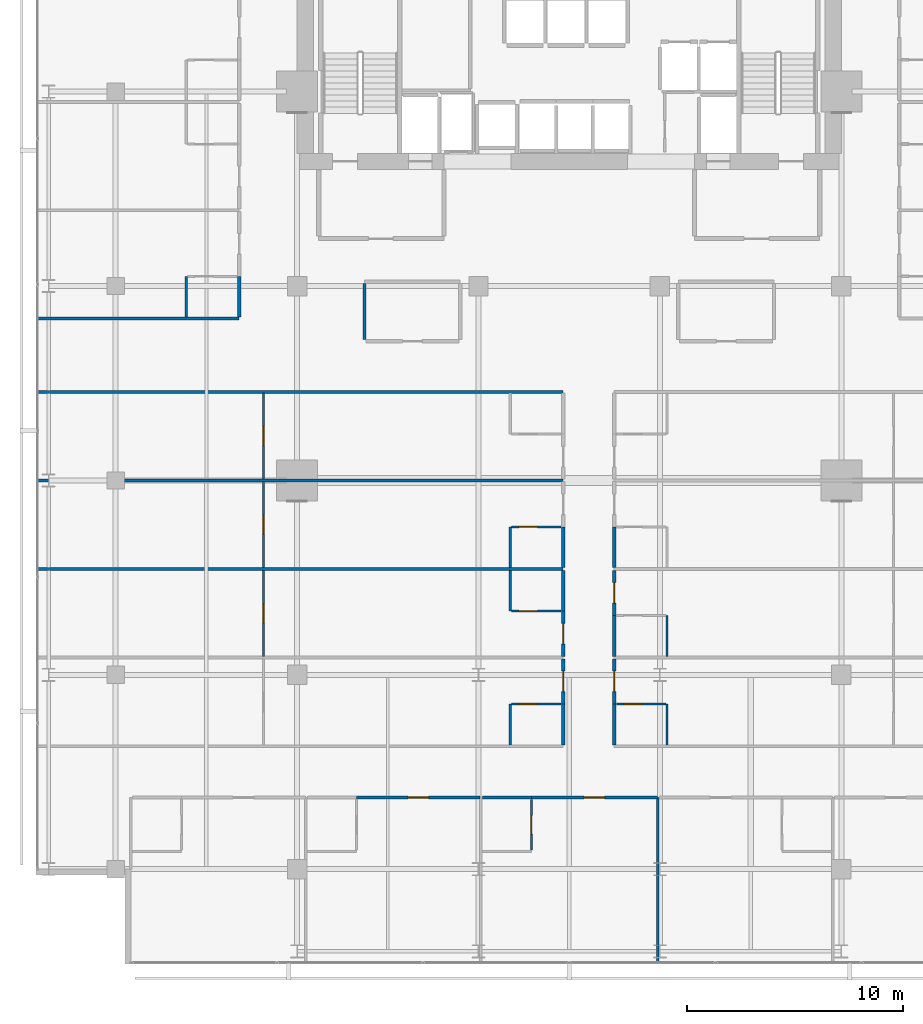
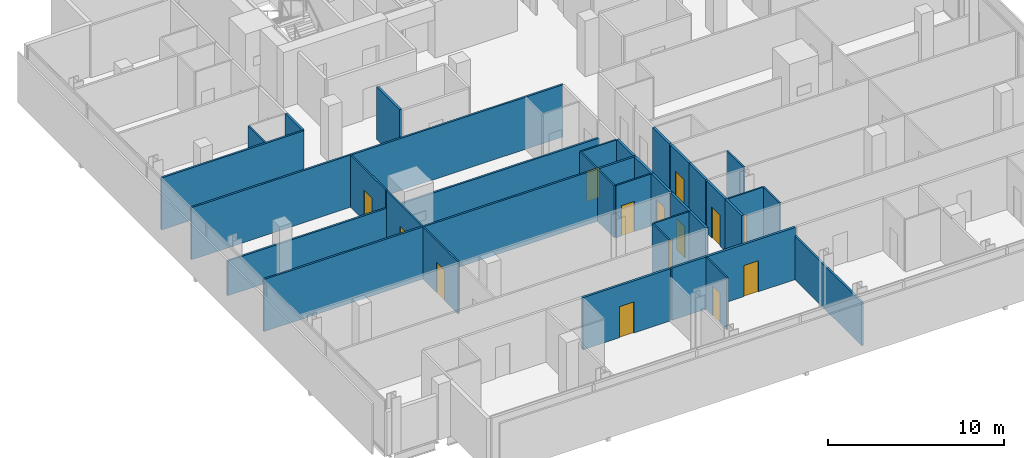
# One storey, part 27 of 34: 34 walls, 14 doors, 14 openings.
"""IFC4 building model written with IfcOpenShell, lengths in metres."""

from ifc_helpers import new_model, si_unit, direction, frame, frame_2d, origin, place, context, subcontext, project, spatial, rectangle, extrude, material, layer, layer_set, type_object, element, fill, save


model = new_model("IFC4")

# Units and contexts
model_context = context("Model", 3, precision=1e-05, world=origin(), true_north=direction((0.0, 1.0)))
body_context = subcontext(model_context, "Body", "Model", "MODEL_VIEW")
ifc_project = project(units=[si_unit("LENGTHUNIT", "METRE"), si_unit("AREAUNIT", "SQUARE_METRE"), si_unit("VOLUMEUNIT", "CUBIC_METRE"), si_unit("PLANEANGLEUNIT", "RADIAN"), si_unit("MASSUNIT", "GRAM", prefix="KILO")], contexts=[model_context])

# Site, building, storey
site_placement = place(None, origin())
site = spatial("IfcSite", under=ifc_project, at=site_placement, CompositionType="ELEMENT")
building_placement = place(site_placement, origin())
building = spatial("IfcBuilding", under=site, at=building_placement, Name="Maruvema Waterfront Hotel and Observation Tower", CompositionType="ELEMENT")
storey_placement = place(building_placement, frame((0.0, 0.0, 177.449951171875)))
storey = spatial("IfcBuildingStorey", under=building, at=storey_placement, Name="L43", CompositionType="ELEMENT", Elevation=177.449951171875)

# Wall
ifc_material_1 = material(Name="Twin-stud acoustic gypsum drywall", Category="gypsum")
ifc_layer_1 = layer(ifc_material_1, 0.14990234375, Name="Acoustic Corridor and Suite Demising Wall 150 mm")
ifc_layer_set_1 = layer_set([ifc_layer_1], Name="Twin-stud acoustic gypsum drywall")
wall_type_1 = type_object("IfcWallType", Name="Acoustic Corridor and Suite Demising Wall 150 mm", PredefinedType="PARTITIONING", material=ifc_layer_set_1)
wall_1_placement = place(storey_placement, frame((28.320068359375, 33.530029296875, 0.0), z_axis=(0.0, 0.0, 1.0), x_axis=(0.0, 1.0, 0.0)))
element("IfcWall", 1, at=wall_1_placement, inside=storey, type_object=wall_type_1, Name="L43 L43-M1 West Wall 018", PredefinedType="PARTITIONING", context=body_context, shape_type="SweptSolid", body=[
    extrude(rectangle(XDim=2.590087890625, YDim=0.14990234375, at=frame_2d((1.294921875, 0.0))), origin(), (0.0, 0.0, 1.0), 3.610107421875),
])

# Wall, opening, door
wall_2_placement = place(storey_placement, frame((27.949951171875, 12.320068359375, 0.0), z_axis=(0.0, 0.0, 1.0), x_axis=(1.0, 0.0, 0.0)))
wall_2 = element("IfcWall", 2, at=wall_2_placement, inside=storey, type_object=wall_type_1, Name="L43 Unit L43-S2 Corridor Wall 035", PredefinedType="PARTITIONING", context=body_context, shape_type="SweptSolid", body=[
    extrude(rectangle(XDim=5.72998046875, YDim=0.14990234375, at=frame_2d((2.864990234375, 0.0))), origin(), (0.0, 0.0, 1.0), 3.610107421875),
])
opening_1_placement = place(wall_2_placement, frame((2.389892578125, 0.0, 0.0)))
opening_1 = element("IfcOpeningElement", 3, at=opening_1_placement, cuts=wall_2, Name="Opening DR-095", PredefinedType="OPENING", context=body_context, shape_type="SweptSolid", body=[
    extrude(rectangle(XDim=0.949951171875, YDim=2.14990234375, at=frame_2d((0.47509765625, 1.074951171875))), frame((0.0, 0.0849609375, 0.0), z_axis=(0.0, -1.0, 0.0), x_axis=(1.0, 0.0, 0.0)), (0.0, 0.0, 1.0), 0.169921875),
])
ifc_material_2 = material(Name="Acoustic solid-core hardwood timber leaf", Category="wood")
door_type_1 = type_object("IfcDoorType", Name="Guestroom Entrance Fire Door 950x2150 mm", OperationType="NOTDEFINED", PredefinedType="DOOR", material=ifc_material_2)
door_1_placement = place(opening_1_placement, frame((0.949951171875, 0.0, 0.0), z_axis=(0.0, 0.0, 1.0), x_axis=(-1.0, 0.0, 0.0)))
door_1 = element("IfcDoor", 4, at=door_1_placement, inside=storey, type_object=door_type_1, Name="L43 Unit L43-S2 Entrance Door", OperationType="SINGLE_SWING_LEFT", OverallHeight=2.14990234375, OverallWidth=0.949951171875, PredefinedType="DOOR", context=body_context, shape_type="SweptSolid", body=[
    extrude(rectangle(XDim=0.949951171875, YDim=2.14990234375, at=frame_2d((0.47509765625, 1.074951171875))), frame((0.0, 0.02490234375, 0.0), z_axis=(0.0, -1.0, 0.0), x_axis=(1.0, 0.0, 0.0)), (0.0, 0.0, 1.0), 0.050048828125),
])
fill(opening_1, door_1)

# Wall
wall_3_placement = place(storey_placement, frame((33.780029296875, 12.320068359375, 0.0), z_axis=(0.0, 0.0, 1.0), x_axis=(1.0, 0.0, 0.0)))
element("IfcWall", 5, at=wall_3_placement, inside=storey, type_object=wall_type_1, Name="L43 Bath L43-S3 Back Wall 037", PredefinedType="PARTITIONING", context=body_context, shape_type="SweptSolid", body=[
    extrude(rectangle(XDim=2.27001953125, YDim=0.14990234375, at=frame_2d((1.135009765625, 0.0))), origin(), (0.0, 0.0, 1.0), 3.610107421875),
])

# Wall, opening, door
wall_4_placement = place(storey_placement, frame((36.050048828125, 12.320068359375, 0.0), z_axis=(0.0, 0.0, 1.0), x_axis=(1.0, 0.0, 0.0)))
wall_4 = element("IfcWall", 6, at=wall_4_placement, inside=storey, type_object=wall_type_1, Name="L43 Unit L43-S3 Corridor Wall 040", PredefinedType="PARTITIONING", context=body_context, shape_type="SweptSolid", body=[
    extrude(rectangle(XDim=5.829833984375, YDim=0.14990234375, at=frame_2d((2.9150390625, 0.0))), origin(), (0.0, 0.0, 1.0), 3.610107421875),
])
opening_2_placement = place(wall_4_placement, frame((2.43994140625, 0.0, 0.0)))
opening_2 = element("IfcOpeningElement", 7, at=opening_2_placement, cuts=wall_4, Name="Opening DR-095", PredefinedType="OPENING", context=body_context, shape_type="SweptSolid", body=[
    extrude(rectangle(XDim=0.949951171875, YDim=2.14990234375, at=frame_2d((0.47509765625, 1.074951171875))), frame((0.0, 0.0849609375, 0.0), z_axis=(0.0, -1.0, 0.0), x_axis=(1.0, 0.0, 0.0)), (0.0, 0.0, 1.0), 0.169921875),
])
door_2_placement = place(opening_2_placement, frame((0.949951171875, 0.0, 0.0), z_axis=(0.0, 0.0, 1.0), x_axis=(-1.0, 0.0, 0.0)))
door_2 = element("IfcDoor", 8, at=door_2_placement, inside=storey, type_object=door_type_1, Name="L43 Unit L43-S3 Entrance Door", OperationType="SINGLE_SWING_LEFT", OverallHeight=2.14990234375, OverallWidth=0.949951171875, PredefinedType="DOOR", context=body_context, shape_type="SweptSolid", body=[
    extrude(rectangle(XDim=0.949951171875, YDim=2.14990234375, at=frame_2d((0.47509765625, 1.074951171875))), frame((0.0, 0.02490234375, 0.0), z_axis=(0.0, -1.0, 0.0), x_axis=(1.0, 0.0, 0.0)), (0.0, 0.0, 1.0), 0.050048828125),
])
fill(opening_2, door_2)

# Wall
wall_5_placement = place(storey_placement, frame((37.52001953125, 14.760009765625, 0.0), z_axis=(0.0, 0.0, 1.0), x_axis=(0.0, 1.0, 0.0)))
element("IfcWall", 9, at=wall_5_placement, inside=storey, type_object=wall_type_1, Name="L43 Bath L43-W1 Wall 055", PredefinedType="PARTITIONING", context=body_context, shape_type="SweptSolid", body=[
    extrude(rectangle(XDim=1.889892578125, YDim=0.14990234375, at=frame_2d((0.94482421875, 0.0))), origin(), (0.0, 0.0, 1.0), 3.610107421875),
])

# Wall, opening, door
wall_6_placement = place(storey_placement, frame((37.52001953125, 16.64990234375, 0.0), z_axis=(0.0, 0.0, 1.0), x_axis=(0.0, 1.0, 0.0)))
wall_6 = element("IfcWall", 10, at=wall_6_placement, inside=storey, type_object=wall_type_1, Name="L43 Room L43-W1 Corridor Wall 056", PredefinedType="PARTITIONING", context=body_context, shape_type="SweptSolid", body=[
    extrude(rectangle(XDim=2.090087890625, YDim=0.14990234375, at=frame_2d((1.044921875, 0.0))), origin(), (0.0, 0.0, 1.0), 3.610107421875),
])
opening_3_placement = place(wall_6_placement, frame((0.570068359375, 0.0, 0.0)))
opening_3 = element("IfcOpeningElement", 11, at=opening_3_placement, cuts=wall_6, Name="Opening DR-095", PredefinedType="OPENING", context=body_context, shape_type="SweptSolid", body=[
    extrude(rectangle(XDim=0.949951171875, YDim=2.14990234375, at=frame_2d((0.47509765625, 1.074951171875))), frame((0.0, 0.0849609375, 0.0), z_axis=(0.0, -1.0, 0.0), x_axis=(1.0, 0.0, 0.0)), (0.0, 0.0, 1.0), 0.169921875),
])
door_3_placement = place(opening_3_placement, origin())
door_3 = element("IfcDoor", 12, at=door_3_placement, inside=storey, type_object=door_type_1, Name="L43 Room L43-W1 Entrance Door", OperationType="SINGLE_SWING_LEFT", OverallHeight=2.14990234375, OverallWidth=0.949951171875, PredefinedType="DOOR", context=body_context, shape_type="SweptSolid", body=[
    extrude(rectangle(XDim=0.949951171875, YDim=2.14990234375, at=frame_2d((0.47509765625, 1.074951171875))), frame((0.0, 0.02490234375, 0.0), z_axis=(0.0, -1.0, 0.0), x_axis=(1.0, 0.0, 0.0)), (0.0, 0.0, 1.0), 0.050048828125),
])
fill(opening_3, door_3)

# Wall
wall_7_placement = place(storey_placement, frame((39.8798828125, 14.760009765625, 0.0), z_axis=(0.0, 0.0, 1.0), x_axis=(0.0, 1.0, 0.0)))
element("IfcWall", 13, at=wall_7_placement, inside=storey, type_object=wall_type_1, Name="L43 Bath L43-E1 Wall 060", PredefinedType="PARTITIONING", context=body_context, shape_type="SweptSolid", body=[
    extrude(rectangle(XDim=1.889892578125, YDim=0.14990234375, at=frame_2d((0.94482421875, 0.0))), origin(), (0.0, 0.0, 1.0), 3.610107421875),
])

# Wall, opening, door
wall_8_placement = place(storey_placement, frame((39.8798828125, 16.64990234375, 0.0), z_axis=(0.0, 0.0, 1.0), x_axis=(0.0, 1.0, 0.0)))
wall_8 = element("IfcWall", 14, at=wall_8_placement, inside=storey, type_object=wall_type_1, Name="L43 Room L43-E1 Corridor Wall 061", PredefinedType="PARTITIONING", context=body_context, shape_type="SweptSolid", body=[
    extrude(rectangle(XDim=2.090087890625, YDim=0.14990234375, at=frame_2d((1.044921875, 0.0))), origin(), (0.0, 0.0, 1.0), 3.610107421875),
])
opening_4_placement = place(wall_8_placement, frame((0.570068359375, 0.0, 0.0)))
opening_4 = element("IfcOpeningElement", 15, at=opening_4_placement, cuts=wall_8, Name="Opening DR-095", PredefinedType="OPENING", context=body_context, shape_type="SweptSolid", body=[
    extrude(rectangle(XDim=0.949951171875, YDim=2.14990234375, at=frame_2d((0.47509765625, 1.074951171875))), frame((0.0, 0.0849609375, 0.0), z_axis=(0.0, -1.0, 0.0), x_axis=(1.0, 0.0, 0.0)), (0.0, 0.0, 1.0), 0.169921875),
])
door_4_placement = place(opening_4_placement, frame((0.949951171875, 0.0, 0.0), z_axis=(0.0, 0.0, 1.0), x_axis=(-1.0, 0.0, 0.0)))
door_4 = element("IfcDoor", 16, at=door_4_placement, inside=storey, type_object=door_type_1, Name="L43 Room L43-E1 Entrance Door", OperationType="SINGLE_SWING_RIGHT", OverallHeight=2.14990234375, OverallWidth=0.949951171875, PredefinedType="DOOR", context=body_context, shape_type="SweptSolid", body=[
    extrude(rectangle(XDim=0.949951171875, YDim=2.14990234375, at=frame_2d((0.47509765625, 1.074951171875))), frame((0.0, 0.02490234375, 0.0), z_axis=(0.0, -1.0, 0.0), x_axis=(1.0, 0.0, 0.0)), (0.0, 0.0, 1.0), 0.050048828125),
])
fill(opening_4, door_4)

wall_9_placement = place(storey_placement, frame((37.52001953125, 18.860107421875, 0.0), z_axis=(0.0, 0.0, 1.0), x_axis=(0.0, 1.0, 0.0)))
wall_9 = element("IfcWall", 17, at=wall_9_placement, inside=storey, type_object=wall_type_1, Name="L43 Room L43-W2 Corridor Wall 067", PredefinedType="PARTITIONING", context=body_context, shape_type="SweptSolid", body=[
    extrude(rectangle(XDim=2.08984375, YDim=0.14990234375, at=frame_2d((1.044921875, 0.0))), origin(), (0.0, 0.0, 1.0), 3.610107421875),
])
opening_5_placement = place(wall_9_placement, frame((0.570068359375, 0.0, 0.0)))
opening_5 = element("IfcOpeningElement", 18, at=opening_5_placement, cuts=wall_9, Name="Opening DR-095", PredefinedType="OPENING", context=body_context, shape_type="SweptSolid", body=[
    extrude(rectangle(XDim=0.949951171875, YDim=2.14990234375, at=frame_2d((0.47509765625, 1.074951171875))), frame((0.0, 0.0849609375, 0.0), z_axis=(0.0, -1.0, 0.0), x_axis=(1.0, 0.0, 0.0)), (0.0, 0.0, 1.0), 0.169921875),
])
door_5_placement = place(opening_5_placement, origin())
door_5 = element("IfcDoor", 19, at=door_5_placement, inside=storey, type_object=door_type_1, Name="L43 Room L43-W2 Entrance Door", OperationType="SINGLE_SWING_LEFT", OverallHeight=2.14990234375, OverallWidth=0.949951171875, PredefinedType="DOOR", context=body_context, shape_type="SweptSolid", body=[
    extrude(rectangle(XDim=0.949951171875, YDim=2.14990234375, at=frame_2d((0.47509765625, 1.074951171875))), frame((0.0, 0.02490234375, 0.0), z_axis=(0.0, -1.0, 0.0), x_axis=(1.0, 0.0, 0.0)), (0.0, 0.0, 1.0), 0.050048828125),
])
fill(opening_5, door_5)

# Walls
wall_10_placement = place(storey_placement, frame((37.52001953125, 20.949951171875, 0.0), z_axis=(0.0, 0.0, 1.0), x_axis=(0.0, 1.0, 0.0)))
element("IfcWall", 20, at=wall_10_placement, inside=storey, type_object=wall_type_1, Name="L43 Bath L43-W2 Wall 068", PredefinedType="PARTITIONING", context=body_context, shape_type="SweptSolid", body=[
    extrude(rectangle(XDim=1.89013671875, YDim=0.14990234375, at=frame_2d((0.945068359375, 0.0))), origin(), (0.0, 0.0, 1.0), 3.610107421875),
])
wall_11_placement = place(storey_placement, frame((39.8798828125, 18.860107421875, 0.0), z_axis=(0.0, 0.0, 1.0), x_axis=(0.0, 1.0, 0.0)))
element("IfcWall", 21, at=wall_11_placement, inside=storey, type_object=wall_type_1, Name="L43 Bath L43-E2 Wall 072", PredefinedType="PARTITIONING", context=body_context, shape_type="SweptSolid", body=[
    extrude(rectangle(XDim=1.889892578125, YDim=0.14990234375, at=frame_2d((0.94482421875, 0.0))), origin(), (0.0, 0.0, 1.0), 3.610107421875),
])

# Wall, opening, door
wall_12_placement = place(storey_placement, frame((39.8798828125, 20.75, 0.0), z_axis=(0.0, 0.0, 1.0), x_axis=(0.0, 1.0, 0.0)))
wall_12 = element("IfcWall", 22, at=wall_12_placement, inside=storey, type_object=wall_type_1, Name="L43 Room L43-E2 Corridor Wall 073", PredefinedType="PARTITIONING", context=body_context, shape_type="SweptSolid", body=[
    extrude(rectangle(XDim=2.090087890625, YDim=0.14990234375, at=frame_2d((1.044921875, 0.0))), origin(), (0.0, 0.0, 1.0), 3.610107421875),
])
opening_6_placement = place(wall_12_placement, frame((0.570068359375, 0.0, 0.0)))
opening_6 = element("IfcOpeningElement", 23, at=opening_6_placement, cuts=wall_12, Name="Opening DR-095", PredefinedType="OPENING", context=body_context, shape_type="SweptSolid", body=[
    extrude(rectangle(XDim=0.949951171875, YDim=2.14990234375, at=frame_2d((0.47509765625, 1.074951171875))), frame((0.0, 0.0849609375, 0.0), z_axis=(0.0, -1.0, 0.0), x_axis=(1.0, 0.0, 0.0)), (0.0, 0.0, 1.0), 0.169921875),
])
door_6_placement = place(opening_6_placement, frame((0.949951171875, 0.0, 0.0), z_axis=(0.0, 0.0, 1.0), x_axis=(-1.0, 0.0, 0.0)))
door_6 = element("IfcDoor", 24, at=door_6_placement, inside=storey, type_object=door_type_1, Name="L43 Room L43-E2 Entrance Door", OperationType="SINGLE_SWING_RIGHT", OverallHeight=2.14990234375, OverallWidth=0.949951171875, PredefinedType="DOOR", context=body_context, shape_type="SweptSolid", body=[
    extrude(rectangle(XDim=0.949951171875, YDim=2.14990234375, at=frame_2d((0.47509765625, 1.074951171875))), frame((0.0, 0.02490234375, 0.0), z_axis=(0.0, -1.0, 0.0), x_axis=(1.0, 0.0, 0.0)), (0.0, 0.0, 1.0), 0.050048828125),
])
fill(opening_6, door_6)

# Walls
for number, where, z_axis, x_axis, name in (
    (25, (37.52001953125, 22.9599609375, 0.0), (0.0, 0.0, 1.0), (0.0, 1.0, 0.0), "L43 Bath L43-W3 Wall 079"),
    (26, (39.8798828125, 22.9599609375, 0.0), (0.0, 0.0, 1.0), (0.0, 1.0, 0.0), "L43 Bath L43-E3 Wall 084"),
):
    element("IfcWall", number, at=place(storey_placement, frame(where, z_axis=z_axis, x_axis=x_axis)), inside=storey, type_object=wall_type_1, Name=name, PredefinedType="PARTITIONING", context=body_context, shape_type="SweptSolid", body=[
        extrude(rectangle(XDim=1.89013671875, YDim=0.14990234375, at=frame_2d((0.945068359375, 0.0))), origin(), (0.0, 0.0, 1.0), 3.610107421875),
    ])
wall_13_placement = place(storey_placement, frame((22.52001953125, 34.56005859375, 0.0), z_axis=(0.0, 0.0, 1.0), x_axis=(0.0, 1.0, 0.0)))
element("IfcWall", 27, at=wall_13_placement, inside=storey, type_object=wall_type_1, Name="L43 Bath L43-NW1 Wall 105", PredefinedType="PARTITIONING", context=body_context, shape_type="SweptSolid", body=[
    extrude(rectangle(XDim=1.889892578125, YDim=0.14990234375, at=frame_2d((0.94482421875, 0.0))), origin(), (0.0, 0.0, 1.0), 3.610107421875),
])

# Wall, opening, door
ifc_material_3 = material(Name="Moisture-resistant cement-board drywall", Category="gypsum")
ifc_layer_2 = layer(ifc_material_3, 0.10009765625, Name="En-Suite Moisture-Resistant Partition 100 mm")
ifc_layer_set_2 = layer_set([ifc_layer_2], Name="Moisture-resistant cement-board drywall")
wall_type_2 = type_object("IfcWallType", Name="En-Suite Moisture-Resistant Partition 100 mm", PredefinedType="PARTITIONING", material=ifc_layer_set_2)
wall_14_placement = place(storey_placement, frame((36.050048828125, 9.8798828125, 0.0), z_axis=(0.0, 0.0, 1.0), x_axis=(0.0, 1.0, 0.0)))
wall_14 = element("IfcWall", 28, at=wall_14_placement, inside=storey, type_object=wall_type_2, Name="L43 En-Suite L43-S3 East 039", PredefinedType="PARTITIONING", context=body_context, shape_type="SweptSolid", body=[
    extrude(rectangle(XDim=2.340087890625, YDim=0.10009765625, at=frame_2d((1.169921875, 0.0))), origin(), (0.0, 0.0, 1.0), 3.610107421875),
])
opening_7_placement = place(wall_14_placement, frame((0.7451171875, 0.0, 0.0)))
opening_7 = element("IfcOpeningElement", 29, at=opening_7_placement, cuts=wall_14, Name="Opening DR-085", PredefinedType="OPENING", context=body_context, shape_type="SweptSolid", body=[
    extrude(rectangle(XDim=0.85009765625, YDim=2.10009765625, at=frame_2d((0.425048828125, 1.050048828125))), frame((0.0, 0.06005859375, 0.0), z_axis=(0.0, -1.0, 0.0), x_axis=(1.0, 0.0, 0.0)), (0.0, 0.0, 1.0), 0.1201171875),
])
ifc_material_4 = material(Name="Moisture-resistant solid timber leaf", Category="wood")
door_type_2 = type_object("IfcDoorType", Name="En-Suite Bathroom Door 850x2100 mm", OperationType="NOTDEFINED", PredefinedType="DOOR", material=ifc_material_4)
door_7_placement = place(opening_7_placement, frame((0.85009765625, 0.0, 0.0), z_axis=(0.0, 0.0, 1.0), x_axis=(-1.0, 0.0, 0.0)))
door_7 = element("IfcDoor", 30, at=door_7_placement, inside=storey, type_object=door_type_2, Name="L43 En-Suite L43-S3 Door", OperationType="SINGLE_SWING_RIGHT", OverallHeight=2.10009765625, OverallWidth=0.85009765625, PredefinedType="DOOR", context=body_context, shape_type="SweptSolid", body=[
    extrude(rectangle(XDim=0.85009765625, YDim=2.10009765625, at=frame_2d((0.425048828125, 1.050048828125))), frame((0.0, 0.02490234375, 0.0), z_axis=(0.0, -1.0, 0.0), x_axis=(1.0, 0.0, 0.0)), (0.0, 0.0, 1.0), 0.050048828125),
])
fill(opening_7, door_7)

# Wall
wall_15_placement = place(storey_placement, frame((35.070068359375, 14.760009765625, 0.0), z_axis=(0.0, 0.0, 1.0), x_axis=(0.0, 1.0, 0.0)))
element("IfcWall", 31, at=wall_15_placement, inside=storey, type_object=wall_type_2, Name="L43 En-Suite L43-W1 W 057", PredefinedType="PARTITIONING", context=body_context, shape_type="SweptSolid", body=[
    extrude(rectangle(XDim=1.889892578125, YDim=0.10009765625, at=frame_2d((0.94482421875, 0.0))), origin(), (0.0, 0.0, 1.0), 3.610107421875),
])

# Wall, opening, door
wall_16_placement = place(storey_placement, frame((35.1201171875, 16.64990234375, 0.0), z_axis=(0.0, 0.0, 1.0), x_axis=(1.0, 0.0, 0.0)))
wall_16 = element("IfcWall", 32, at=wall_16_placement, inside=storey, type_object=wall_type_2, Name="L43 En-Suite L43-W1 N 058", PredefinedType="PARTITIONING", context=body_context, shape_type="SweptSolid", body=[
    extrude(rectangle(XDim=2.2998046875, YDim=0.10009765625, at=frame_2d((1.14990234375, 0.0))), origin(), (0.0, 0.0, 1.0), 3.610107421875),
])
opening_8_placement = place(wall_16_placement, frame((0.35009765625, 0.0, 0.0)))
opening_8 = element("IfcOpeningElement", 33, at=opening_8_placement, cuts=wall_16, Name="Opening DR-085", PredefinedType="OPENING", context=body_context, shape_type="SweptSolid", body=[
    extrude(rectangle(XDim=0.85009765625, YDim=2.10009765625, at=frame_2d((0.425048828125, 1.050048828125))), frame((0.0, 0.06005859375, 0.0), z_axis=(0.0, -1.0, 0.0), x_axis=(1.0, 0.0, 0.0)), (0.0, 0.0, 1.0), 0.1201171875),
])
door_8_placement = place(opening_8_placement, origin())
door_8 = element("IfcDoor", 34, at=door_8_placement, inside=storey, type_object=door_type_2, Name="L43 En-Suite L43-W1 Door", OperationType="SINGLE_SWING_RIGHT", OverallHeight=2.10009765625, OverallWidth=0.85009765625, PredefinedType="DOOR", context=body_context, shape_type="SweptSolid", body=[
    extrude(rectangle(XDim=0.85009765625, YDim=2.10009765625, at=frame_2d((0.425048828125, 1.050048828125))), frame((0.0, 0.02490234375, 0.0), z_axis=(0.0, -1.0, 0.0), x_axis=(1.0, 0.0, 0.0)), (0.0, 0.0, 1.0), 0.050048828125),
])
fill(opening_8, door_8)

# Wall
wall_17_placement = place(storey_placement, frame((42.330078125, 14.760009765625, 0.0), z_axis=(0.0, 0.0, 1.0), x_axis=(0.0, 1.0, 0.0)))
element("IfcWall", 35, at=wall_17_placement, inside=storey, type_object=wall_type_2, Name="L43 En-Suite L43-E1 E 062", PredefinedType="PARTITIONING", context=body_context, shape_type="SweptSolid", body=[
    extrude(rectangle(XDim=1.889892578125, YDim=0.10009765625, at=frame_2d((0.94482421875, 0.0))), origin(), (0.0, 0.0, 1.0), 3.610107421875),
])

# Wall, opening, door
wall_18_placement = place(storey_placement, frame((39.97998046875, 16.64990234375, 0.0), z_axis=(0.0, 0.0, 1.0), x_axis=(1.0, 0.0, 0.0)))
wall_18 = element("IfcWall", 36, at=wall_18_placement, inside=storey, type_object=wall_type_2, Name="L43 En-Suite L43-E1 N 063", PredefinedType="PARTITIONING", context=body_context, shape_type="SweptSolid", body=[
    extrude(rectangle(XDim=2.300048828125, YDim=0.10009765625, at=frame_2d((1.14990234375, 0.0))), origin(), (0.0, 0.0, 1.0), 3.610107421875),
])
opening_9_placement = place(wall_18_placement, frame((0.35009765625, 0.0, 0.0)))
opening_9 = element("IfcOpeningElement", 37, at=opening_9_placement, cuts=wall_18, Name="Opening DR-085", PredefinedType="OPENING", context=body_context, shape_type="SweptSolid", body=[
    extrude(rectangle(XDim=0.85009765625, YDim=2.10009765625, at=frame_2d((0.425048828125, 1.050048828125))), frame((0.0, 0.06005859375, 0.0), z_axis=(0.0, -1.0, 0.0), x_axis=(1.0, 0.0, 0.0)), (0.0, 0.0, 1.0), 0.1201171875),
])
door_9_placement = place(opening_9_placement, origin())
door_9 = element("IfcDoor", 38, at=door_9_placement, inside=storey, type_object=door_type_2, Name="L43 En-Suite L43-E1 Door", OperationType="SINGLE_SWING_LEFT", OverallHeight=2.10009765625, OverallWidth=0.85009765625, PredefinedType="DOOR", context=body_context, shape_type="SweptSolid", body=[
    extrude(rectangle(XDim=0.85009765625, YDim=2.10009765625, at=frame_2d((0.425048828125, 1.050048828125))), frame((0.0, 0.02490234375, 0.0), z_axis=(0.0, -1.0, 0.0), x_axis=(1.0, 0.0, 0.0)), (0.0, 0.0, 1.0), 0.050048828125),
])
fill(opening_9, door_9)

# Wall
wall_19_placement = place(storey_placement, frame((35.070068359375, 20.949951171875, 0.0), z_axis=(0.0, 0.0, 1.0), x_axis=(0.0, 1.0, 0.0)))
element("IfcWall", 39, at=wall_19_placement, inside=storey, type_object=wall_type_2, Name="L43 En-Suite L43-W2 W 069", PredefinedType="PARTITIONING", context=body_context, shape_type="SweptSolid", body=[
    extrude(rectangle(XDim=1.89013671875, YDim=0.10009765625, at=frame_2d((0.945068359375, 0.0))), origin(), (0.0, 0.0, 1.0), 3.610107421875),
])

# Wall, opening, door
wall_20_placement = place(storey_placement, frame((35.1201171875, 20.949951171875, 0.0), z_axis=(0.0, 0.0, 1.0), x_axis=(1.0, 0.0, 0.0)))
wall_20 = element("IfcWall", 40, at=wall_20_placement, inside=storey, type_object=wall_type_2, Name="L43 En-Suite L43-W2 S 070", PredefinedType="PARTITIONING", context=body_context, shape_type="SweptSolid", body=[
    extrude(rectangle(XDim=2.2998046875, YDim=0.10009765625, at=frame_2d((1.14990234375, 0.0))), origin(), (0.0, 0.0, 1.0), 3.610107421875),
])
opening_10_placement = place(wall_20_placement, frame((0.35009765625, 0.0, 0.0)))
opening_10 = element("IfcOpeningElement", 41, at=opening_10_placement, cuts=wall_20, Name="Opening DR-085", PredefinedType="OPENING", context=body_context, shape_type="SweptSolid", body=[
    extrude(rectangle(XDim=0.85009765625, YDim=2.10009765625, at=frame_2d((0.425048828125, 1.050048828125))), frame((0.0, 0.06005859375, 0.0), z_axis=(0.0, -1.0, 0.0), x_axis=(1.0, 0.0, 0.0)), (0.0, 0.0, 1.0), 0.1201171875),
])
door_10_placement = place(opening_10_placement, frame((0.85009765625, 0.0, 0.0), z_axis=(0.0, 0.0, 1.0), x_axis=(-1.0, 0.0, 0.0)))
door_10 = element("IfcDoor", 42, at=door_10_placement, inside=storey, type_object=door_type_2, Name="L43 En-Suite L43-W2 Door", OperationType="SINGLE_SWING_RIGHT", OverallHeight=2.10009765625, OverallWidth=0.85009765625, PredefinedType="DOOR", context=body_context, shape_type="SweptSolid", body=[
    extrude(rectangle(XDim=0.85009765625, YDim=2.10009765625, at=frame_2d((0.425048828125, 1.050048828125))), frame((0.0, 0.02490234375, 0.0), z_axis=(0.0, -1.0, 0.0), x_axis=(1.0, 0.0, 0.0)), (0.0, 0.0, 1.0), 0.050048828125),
])
fill(opening_10, door_10)

wall_21_placement = place(storey_placement, frame((23.6455078125, 18.860107421875, 0.0), z_axis=(0.0, 0.0, 1.0), x_axis=(0.0, 1.0, 0.0)))
wall_21 = element("IfcWall", 43, at=wall_21_placement, inside=storey, type_object=wall_type_2, Name="L43 Suite L43-W2 Split 071", PredefinedType="PARTITIONING", context=body_context, shape_type="SweptSolid", body=[
    extrude(rectangle(XDim=3.97998046875, YDim=0.10009765625, at=frame_2d((1.989990234375, 0.0))), origin(), (0.0, 0.0, 1.0), 3.610107421875),
])
opening_11_placement = place(wall_21_placement, frame((1.5400390625, 0.0, 0.0)))
opening_11 = element("IfcOpeningElement", 44, at=opening_11_placement, cuts=wall_21, Name="Opening DR-090", PredefinedType="OPENING", context=body_context, shape_type="SweptSolid", body=[
    extrude(rectangle(XDim=0.89990234375, YDim=2.10009765625, at=frame_2d((0.449951171875, 1.050048828125))), frame((0.0, 0.06005859375, 0.0), z_axis=(0.0, -1.0, 0.0), x_axis=(1.0, 0.0, 0.0)), (0.0, 0.0, 1.0), 0.1201171875),
])
ifc_material_5 = material(Name="Solid-core lacquered timber leaf", Category="wood")
door_type_3 = type_object("IfcDoorType", Name="Accessible Toilet and Room Door 900x2100 mm", OperationType="NOTDEFINED", PredefinedType="DOOR", material=ifc_material_5)
door_11_placement = place(opening_11_placement, origin())
door_11 = element("IfcDoor", 45, at=door_11_placement, inside=storey, type_object=door_type_3, Name="L43 Suite L43-W2 Bedroom Door", OperationType="SINGLE_SWING_RIGHT", OverallHeight=2.10009765625, OverallWidth=0.89990234375, PredefinedType="DOOR", context=body_context, shape_type="SweptSolid", body=[
    extrude(rectangle(XDim=0.89990234375, YDim=2.10009765625, at=frame_2d((0.449951171875, 1.050048828125))), frame((0.0, 0.02490234375, 0.0), z_axis=(0.0, -1.0, 0.0), x_axis=(1.0, 0.0, 0.0)), (0.0, 0.0, 1.0), 0.050048828125),
])
fill(opening_11, door_11)

# Walls
wall_22_placement = place(storey_placement, frame((42.330078125, 18.860107421875, 0.0), z_axis=(0.0, 0.0, 1.0), x_axis=(0.0, 1.0, 0.0)))
element("IfcWall", 46, at=wall_22_placement, inside=storey, type_object=wall_type_2, Name="L43 En-Suite L43-E2 E 074", PredefinedType="PARTITIONING", context=body_context, shape_type="SweptSolid", body=[
    extrude(rectangle(XDim=1.889892578125, YDim=0.10009765625, at=frame_2d((0.94482421875, 0.0))), origin(), (0.0, 0.0, 1.0), 3.610107421875),
])
wall_23_placement = place(storey_placement, frame((35.070068359375, 22.9599609375, 0.0), z_axis=(0.0, 0.0, 1.0), x_axis=(0.0, 1.0, 0.0)))
element("IfcWall", 47, at=wall_23_placement, inside=storey, type_object=wall_type_2, Name="L43 En-Suite L43-W3 W 081", PredefinedType="PARTITIONING", context=body_context, shape_type="SweptSolid", body=[
    extrude(rectangle(XDim=1.89013671875, YDim=0.10009765625, at=frame_2d((0.945068359375, 0.0))), origin(), (0.0, 0.0, 1.0), 3.610107421875),
])

# Wall, opening, door
wall_24_placement = place(storey_placement, frame((35.1201171875, 24.85009765625, 0.0), z_axis=(0.0, 0.0, 1.0), x_axis=(1.0, 0.0, 0.0)))
wall_24 = element("IfcWall", 48, at=wall_24_placement, inside=storey, type_object=wall_type_2, Name="L43 En-Suite L43-W3 N 082", PredefinedType="PARTITIONING", context=body_context, shape_type="SweptSolid", body=[
    extrude(rectangle(XDim=2.2998046875, YDim=0.10009765625, at=frame_2d((1.14990234375, 0.0))), origin(), (0.0, 0.0, 1.0), 3.610107421875),
])
opening_12_placement = place(wall_24_placement, frame((0.35009765625, 0.0, 0.0)))
opening_12 = element("IfcOpeningElement", 49, at=opening_12_placement, cuts=wall_24, Name="Opening DR-085", PredefinedType="OPENING", context=body_context, shape_type="SweptSolid", body=[
    extrude(rectangle(XDim=0.85009765625, YDim=2.10009765625, at=frame_2d((0.425048828125, 1.050048828125))), frame((0.0, 0.06005859375, 0.0), z_axis=(0.0, -1.0, 0.0), x_axis=(1.0, 0.0, 0.0)), (0.0, 0.0, 1.0), 0.1201171875),
])
door_12_placement = place(opening_12_placement, origin())
door_12 = element("IfcDoor", 50, at=door_12_placement, inside=storey, type_object=door_type_2, Name="L43 En-Suite L43-W3 Door", OperationType="SINGLE_SWING_RIGHT", OverallHeight=2.10009765625, OverallWidth=0.85009765625, PredefinedType="DOOR", context=body_context, shape_type="SweptSolid", body=[
    extrude(rectangle(XDim=0.85009765625, YDim=2.10009765625, at=frame_2d((0.425048828125, 1.050048828125))), frame((0.0, 0.02490234375, 0.0), z_axis=(0.0, -1.0, 0.0), x_axis=(1.0, 0.0, 0.0)), (0.0, 0.0, 1.0), 0.050048828125),
])
fill(opening_12, door_12)

wall_25_placement = place(storey_placement, frame((23.6455078125, 22.9599609375, 0.0), z_axis=(0.0, 0.0, 1.0), x_axis=(0.0, 1.0, 0.0)))
wall_25 = element("IfcWall", 51, at=wall_25_placement, inside=storey, type_object=wall_type_2, Name="L43 Suite L43-W3 Split 083", PredefinedType="PARTITIONING", context=body_context, shape_type="SweptSolid", body=[
    extrude(rectangle(XDim=3.97998046875, YDim=0.10009765625, at=frame_2d((1.989990234375, 0.0))), origin(), (0.0, 0.0, 1.0), 3.610107421875),
])
opening_13_placement = place(wall_25_placement, frame((1.5400390625, 0.0, 0.0)))
opening_13 = element("IfcOpeningElement", 52, at=opening_13_placement, cuts=wall_25, Name="Opening DR-090", PredefinedType="OPENING", context=body_context, shape_type="SweptSolid", body=[
    extrude(rectangle(XDim=0.89990234375, YDim=2.10009765625, at=frame_2d((0.449951171875, 1.050048828125))), frame((0.0, 0.06005859375, 0.0), z_axis=(0.0, -1.0, 0.0), x_axis=(1.0, 0.0, 0.0)), (0.0, 0.0, 1.0), 0.1201171875),
])
door_13_placement = place(opening_13_placement, origin())
door_13 = element("IfcDoor", 53, at=door_13_placement, inside=storey, type_object=door_type_3, Name="L43 Suite L43-W3 Bedroom Door", OperationType="SINGLE_SWING_RIGHT", OverallHeight=2.10009765625, OverallWidth=0.89990234375, PredefinedType="DOOR", context=body_context, shape_type="SweptSolid", body=[
    extrude(rectangle(XDim=0.89990234375, YDim=2.10009765625, at=frame_2d((0.449951171875, 1.050048828125))), frame((0.0, 0.02490234375, 0.0), z_axis=(0.0, -1.0, 0.0), x_axis=(1.0, 0.0, 0.0)), (0.0, 0.0, 1.0), 0.050048828125),
])
fill(opening_13, door_13)

wall_26_placement = place(storey_placement, frame((23.6455078125, 27.06005859375, 0.0), z_axis=(0.0, 0.0, 1.0), x_axis=(0.0, 1.0, 0.0)))
wall_26 = element("IfcWall", 54, at=wall_26_placement, inside=storey, type_object=wall_type_2, Name="L43 Suite L43-W4 Split 095", PredefinedType="PARTITIONING", context=body_context, shape_type="SweptSolid", body=[
    extrude(rectangle(XDim=3.97998046875, YDim=0.10009765625, at=frame_2d((1.989990234375, 0.0))), origin(), (0.0, 0.0, 1.0), 3.610107421875),
])
opening_14_placement = place(wall_26_placement, frame((1.5400390625, 0.0, 0.0)))
opening_14 = element("IfcOpeningElement", 55, at=opening_14_placement, cuts=wall_26, Name="Opening DR-090", PredefinedType="OPENING", context=body_context, shape_type="SweptSolid", body=[
    extrude(rectangle(XDim=0.89990234375, YDim=2.10009765625, at=frame_2d((0.449951171875, 1.050048828125))), frame((0.0, 0.06005859375, 0.0), z_axis=(0.0, -1.0, 0.0), x_axis=(1.0, 0.0, 0.0)), (0.0, 0.0, 1.0), 0.1201171875),
])
door_14_placement = place(opening_14_placement, origin())
door_14 = element("IfcDoor", 56, at=door_14_placement, inside=storey, type_object=door_type_3, Name="L43 Suite L43-W4 Bedroom Door", OperationType="SINGLE_SWING_RIGHT", OverallHeight=2.10009765625, OverallWidth=0.89990234375, PredefinedType="DOOR", context=body_context, shape_type="SweptSolid", body=[
    extrude(rectangle(XDim=0.89990234375, YDim=2.10009765625, at=frame_2d((0.449951171875, 1.050048828125))), frame((0.0, 0.02490234375, 0.0), z_axis=(0.0, -1.0, 0.0), x_axis=(1.0, 0.0, 0.0)), (0.0, 0.0, 1.0), 0.050048828125),
])
fill(opening_14, door_14)

# Walls
wall_27_placement = place(storey_placement, frame((20.070068359375, 34.56005859375, 0.0), z_axis=(0.0, 0.0, 1.0), x_axis=(0.0, 1.0, 0.0)))
element("IfcWall", 57, at=wall_27_placement, inside=storey, type_object=wall_type_2, Name="L43 En-Suite L43-NW1 W 107", PredefinedType="PARTITIONING", context=body_context, shape_type="SweptSolid", body=[
    extrude(rectangle(XDim=1.889892578125, YDim=0.10009765625, at=frame_2d((0.94482421875, 0.0))), origin(), (0.0, 0.0, 1.0), 3.610107421875),
])
ifc_material_6 = material(Name="Acoustic gypsum plasterboard drywall", Category="gypsum")
ifc_layer_3 = layer(ifc_material_6, 0.125, Name="Guestroom Acoustic Demising Wall 125 mm")
ifc_layer_set_3 = layer_set([ifc_layer_3], Name="Acoustic gypsum plasterboard drywall")
wall_type_3 = type_object("IfcWallType", Name="Guestroom Acoustic Demising Wall 125 mm", PredefinedType="PARTITIONING", material=ifc_layer_set_3)
wall_28_placement = place(storey_placement, frame((41.89990234375, 4.699951171875, 0.0), z_axis=(0.0, 0.0, 1.0), x_axis=(0.0, 1.0, 0.0)))
element("IfcWall", 58, at=wall_28_placement, inside=storey, type_object=wall_type_3, Name="L43 Z2 S Demising 4 041", PredefinedType="PARTITIONING", context=body_context, shape_type="SweptSolid", body=[
    extrude(rectangle(XDim=7.6201171875, YDim=0.125, at=frame_2d((3.81005859375, 0.0))), origin(), (0.0, 0.0, 1.0), 3.007080078125),
])
for number, where, z_axis, x_axis, name in (
    (59, (13.199951171875, 31.10009765625, 0.0), (0.0, 0.0, 1.0), (1.0, 0.0, 0.0), "L43 Z2 W Top End 053"),
    (60, (13.199951171875, 22.89990234375, 0.0), (0.0, 0.0, 1.0), (1.0, 0.0, 0.0), "L43 Z2 W Demising 3 077"),
):
    element("IfcWall", number, at=place(storey_placement, frame(where, z_axis=z_axis, x_axis=x_axis)), inside=storey, type_object=wall_type_3, Name=name, PredefinedType="PARTITIONING", context=body_context, shape_type="SweptSolid", body=[
        extrude(rectangle(XDim=24.320068359375, YDim=0.125, at=frame_2d((12.16015625, 0.0))), origin(), (0.0, 0.0, 1.0), 3.610107421875),
    ])
wall_29_placement = place(storey_placement, frame((13.199951171875, 27.0, 0.0), z_axis=(0.0, 0.0, 1.0), x_axis=(1.0, 0.0, 0.0)))
element("IfcWall", 61, at=wall_29_placement, inside=storey, type_object=wall_type_3, Name="L43 Z2 W Demising 4 089", PredefinedType="PARTITIONING", context=body_context, shape_type="SweptSolid", body=[
    extrude(rectangle(XDim=24.320068359375, YDim=0.125, at=frame_2d((12.16015625, 0.0))), origin(), (0.0, 0.0, 1.0), 2.41015625),
])
wall_30_placement = place(storey_placement, frame((13.199951171875, 34.5, 0.0), z_axis=(0.0, 0.0, 1.0), x_axis=(1.0, 0.0, 0.0)))
element("IfcWall", 62, at=wall_30_placement, inside=storey, type_object=wall_type_3, Name="L43 Z2 NW Bot End 101", PredefinedType="PARTITIONING", context=body_context, shape_type="SweptSolid", body=[
    extrude(rectangle(XDim=9.320068359375, YDim=0.125, at=frame_2d((4.66015625, 0.0))), origin(), (0.0, 0.0, 1.0), 3.610107421875),
])

save(model, "model.ifc")
